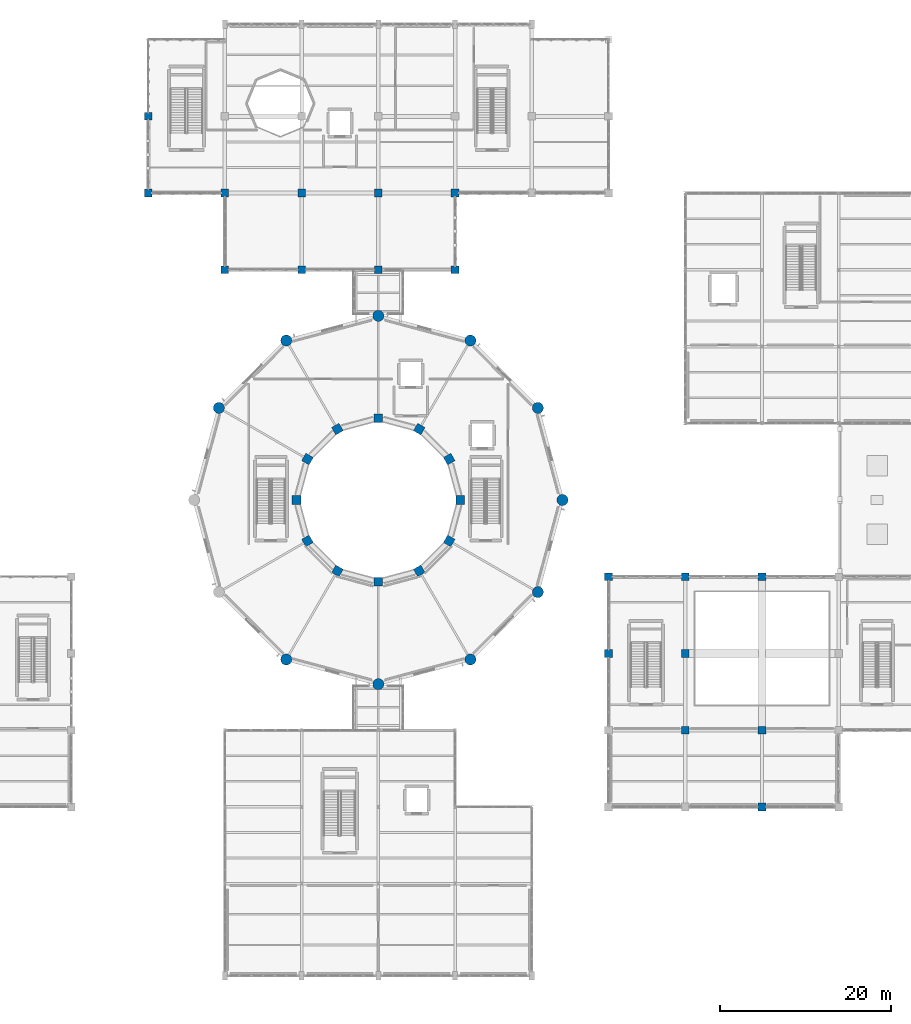
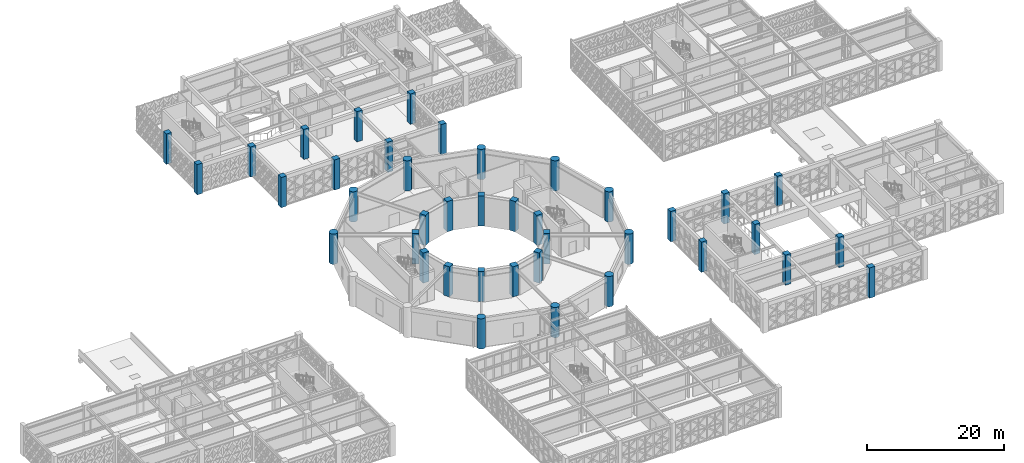
# One storey, part 5 of 155: 40 columns.
"""IFC4 building model written with IfcOpenShell, lengths in metres."""

import ifcopenshell
import ifcopenshell.guid

model = None  # the IFC model being written
_history = None  # IfcOwnerHistory: only IFC2X3 demands one
_inside = {}  # id of a spatial element -> (the spatial element, [elements in it])
_under = {}  # id of a project, library or spatial element -> (it, [spatial elements below it])
_declared = {}  # id of a project -> (the project, [libraries it declares])
_typed = {}  # id of a type object -> (the type object, [elements of that type])
_made_of = {}  # id of a material, layer set ... -> (it, [elements and type objects made of it])


def new_model(schema):
    """Start an empty IFC model of exactly this schema.

    Asked for "IFC4X3", IfcOpenShell would pick the latest addendum, in which some entities
    have other attributes; the version numbers below select the first issue.
    IFC2X3 requires an IfcOwnerHistory on every rooted entity: one is made here for all.
    """
    global model, _history
    if schema == "IFC4X3":
        model = ifcopenshell.file(schema_version=(4, 3, 0, 0))
    else:
        model = ifcopenshell.file(schema=schema)
    _inside.clear()
    _under.clear()
    _declared.clear()
    _typed.clear()
    _made_of.clear()
    _history = None
    if model.schema == "IFC2X3":
        org = make("IfcOrganization", Name="unknown")
        user = make(
            "IfcPersonAndOrganization",
            ThePerson=make("IfcPerson", FamilyName="unknown"),
            TheOrganization=org,
        )
        app = make(
            "IfcApplication",
            ApplicationDeveloper=org,
            Version="unknown",
            ApplicationFullName="unknown",
            ApplicationIdentifier="unknown",
        )
        _history = make(
            "IfcOwnerHistory",
            OwningUser=user,
            OwningApplication=app,
            ChangeAction="ADDED",
            CreationDate=0,
        )
    return model


def make(cls, **values):
    """One entity of the class cls with the attributes given. An attribute that is None is left unset."""
    return model.create_entity(
        cls, **{name: value for name, value in values.items() if value is not None}
    )


def rooted(cls, **values):
    """An entity with a GlobalId (a new one), such as an element, a storey or a relation."""
    return make(cls, GlobalId=ifcopenshell.guid.new(), OwnerHistory=_history, **values)


def si_unit(unit_type, name, prefix=None):
    """IfcSIUnit, for example si_unit("LENGTHUNIT", "METRE", prefix="MILLI")."""
    return make("IfcSIUnit", UnitType=unit_type, Prefix=prefix, Name=name)


def assignment(units):
    """IfcUnitAssignment: the units of a project."""
    return None if units is None else make("IfcUnitAssignment", Units=units)


def point(xyz):
    """IfcCartesianPoint."""
    return None if xyz is None else make("IfcCartesianPoint", Coordinates=xyz)


def direction(xyz):
    """IfcDirection."""
    return None if xyz is None else make("IfcDirection", DirectionRatios=xyz)


def frame(location, z_axis=None, x_axis=None):
    """IfcAxis2Placement3D, a coordinate frame: its origin and axes. An axis left out is left unset."""
    return make(
        "IfcAxis2Placement3D",
        Location=point(location),
        Axis=direction(z_axis),
        RefDirection=direction(x_axis),
    )


def frame_2d(location, x_axis=None):
    """IfcAxis2Placement2D, a coordinate frame in the plane: its origin and x axis."""
    return make(
        "IfcAxis2Placement2D", Location=point(location), RefDirection=direction(x_axis)
    )


def origin():
    """The frame at (0, 0, 0) with its axes left unset."""
    return frame((0.0, 0.0, 0.0))


def origin_2d():
    """The frame at (0, 0) in the plane with its x axis left unset."""
    return frame_2d((0.0, 0.0))


def place(relative_to, where):
    """IfcLocalPlacement: puts the frame where relative to a parent placement (None: the world)."""
    return make(
        "IfcLocalPlacement", PlacementRelTo=relative_to, RelativePlacement=where
    )


def context(
    kind, dimensions, precision=None, world=None, true_north=None, identifier=None
):
    """IfcGeometricRepresentationContext, for example the 3D "Model" context."""
    return make(
        "IfcGeometricRepresentationContext",
        ContextIdentifier=identifier,
        ContextType=kind,
        CoordinateSpaceDimension=dimensions,
        Precision=precision,
        WorldCoordinateSystem=world,
        TrueNorth=true_north,
    )


def subcontext(parent, identifier, kind, view, scale=None):
    """IfcGeometricRepresentationSubContext, for example "Body" below "Model"."""
    return make(
        "IfcGeometricRepresentationSubContext",
        ContextIdentifier=identifier,
        ContextType=kind,
        ParentContext=parent,
        TargetScale=scale,
        TargetView=view,
    )


def project(units=None, contexts=None):
    """IfcProject with its units and contexts."""
    return rooted(
        "IfcProject",
        Name="project",
        RepresentationContexts=contexts,
        UnitsInContext=assignment(units),
    )


def spatial(cls, under=None, at=None, **own):
    """A site, building, storey or space (cls), placed at a placement, below another one or the project."""
    s = rooted(cls, ObjectPlacement=at, **own)
    if under is not None:
        _under.setdefault(under.id(), (under, []))[1].append(s)
    return s


def profile(cls, at=None, kind="AREA", **sizes):
    """A parametric profile (cls). Its sizes go by their IFC names, for example OverallWidth=200.0."""
    return make(cls, ProfileType=kind, Position=at, **sizes)


def rectangle(**sizes):
    """IfcRectangleProfileDef."""
    return profile("IfcRectangleProfileDef", **sizes)


def circle(**sizes):
    """IfcCircleProfileDef."""
    return profile("IfcCircleProfileDef", **sizes)


def extrude(swept, where, along, depth):
    """IfcExtrudedAreaSolid: the profile swept, set in the frame where, extruded along a direction by depth."""
    return make(
        "IfcExtrudedAreaSolid",
        SweptArea=swept,
        Position=where,
        ExtrudedDirection=direction(along),
        Depth=depth,
    )


def shape(context_of_items, identifier, shape_type, items):
    """IfcShapeRepresentation: the items that make up one representation, for example the "Body"."""
    return make(
        "IfcShapeRepresentation",
        ContextOfItems=context_of_items,
        RepresentationIdentifier=identifier,
        RepresentationType=shape_type,
        Items=items,
    )


def material(Name=None, Category=None):
    """IfcMaterial."""
    return make("IfcMaterial", Name=Name, Category=Category)


def material_profile(
    of_material, cross_section, Name=None, Category=None, Priority=None
):
    """IfcMaterialProfile: a cross section and its material."""
    return make(
        "IfcMaterialProfile",
        Name=Name,
        Material=of_material,
        Profile=cross_section,
        Priority=Priority,
        Category=Category,
    )


def profile_set(profiles, Name=None, composite=None):
    """IfcMaterialProfileSet."""
    return make(
        "IfcMaterialProfileSet",
        Name=Name,
        MaterialProfiles=profiles,
        CompositeProfile=composite,
    )


def made_of(thing, what):
    """Note that an element or type object is made of a material, layer set ...; save() writes the relation."""
    if what is not None:
        _made_of.setdefault(what.id(), (what, []))[1].append(thing)
    return thing


def type_object(cls, material=None, **own):
    """A type object (cls), such as IfcWallType, which elements share."""
    return made_of(rooted(cls, **own), material)


def element(
    cls,
    number,
    at=None,
    inside=None,
    cuts=None,
    type_object=None,
    material=None,
    context=None,
    identifier="Body",
    shape_type=None,
    held_by="IfcProductDefinitionShape",
    body=None,
    shapes=None,
    **own,
):
    """One element of the class cls, such as IfcWall. Its Tag is "e" and its number.

    at: its placement. inside: the storey or other place that contains it. cuts: it is an
    opening in that element (IfcRelVoidsElement). A single representation is given by context,
    identifier, shape_type and body (its items); several are given by shapes. held_by: the class
    of the entity that holds the representations. save() writes the other relations.
    """
    e = rooted(cls, Tag="e%d" % number, ObjectPlacement=at, **own)
    if body is not None:
        shapes = [shape(context, identifier, shape_type, body)]
    if shapes is not None:
        e.Representation = make(held_by, Representations=shapes)
    if inside is not None:
        _inside.setdefault(inside.id(), (inside, []))[1].append(e)
    if cuts is not None:
        rooted(
            "IfcRelVoidsElement", RelatingBuildingElement=cuts, RelatedOpeningElement=e
        )
    if type_object is not None:
        _typed.setdefault(type_object.id(), (type_object, []))[1].append(e)
    return made_of(e, material)


def aggregate(whole, parts):
    """IfcRelAggregates: a whole, such as a stair, and the parts it consists of."""
    return rooted("IfcRelAggregates", RelatingObject=whole, RelatedObjects=parts)


def save(model, path):
    """Write the relations noted so far, then the file.

    IfcRelAggregates (storeys below a building ...), IfcRelContainedInSpatialStructure (elements
    in a storey), IfcRelDefinesByType, IfcRelAssociatesMaterial and IfcRelDeclares: one each for
    every whole, place, type object, material and project.
    """
    for whole, parts in _under.values():
        aggregate(whole, parts)
    for where, things in _inside.values():
        rooted(
            "IfcRelContainedInSpatialStructure",
            RelatedElements=things,
            RelatingStructure=where,
        )
    for kind, things in _typed.values():
        rooted("IfcRelDefinesByType", RelatedObjects=things, RelatingType=kind)
    for what, things in _made_of.values():
        rooted("IfcRelAssociatesMaterial", RelatedObjects=things, RelatingMaterial=what)
    for by, libraries in _declared.values():
        rooted("IfcRelDeclares", RelatingContext=by, RelatedDefinitions=libraries)
    model.write(path)


model = new_model("IFC4")

# Units and contexts
model_context = context("Model", 3, precision=1e-05, world=origin(), true_north=direction((0.0, 1.0)))
body_context = subcontext(model_context, "Body", "Model", "MODEL_VIEW")
ifc_project = project(units=[si_unit("LENGTHUNIT", "METRE"), si_unit("AREAUNIT", "SQUARE_METRE"), si_unit("VOLUMEUNIT", "CUBIC_METRE"), si_unit("PLANEANGLEUNIT", "RADIAN"), si_unit("MASSUNIT", "GRAM", prefix="KILO")], contexts=[model_context])

# Site, building, storey
site_placement = place(None, origin())
site = spatial("IfcSite", under=ifc_project, at=site_placement, CompositionType="ELEMENT")
building_placement = place(site_placement, origin())
building = spatial("IfcBuilding", under=site, at=building_placement, Name="Haizhuo Lancet Aquarium", CompositionType="ELEMENT")
storey_placement = place(building_placement, frame((0.0, 0.0, 10.800048828125)))
storey = spatial("IfcBuildingStorey", under=building, at=storey_placement, Name="L02", CompositionType="ELEMENT", Elevation=10.800048828125)

# Columns
ifc_material_1 = material(Name="Concrete C50/60", Category="concrete")
ifc_material_profile_1 = material_profile(ifc_material_1, circle(Radius=0.64990234375, at=origin_2d()), Name="RC-DC 1300")
ifc_profile_set_1 = profile_set([ifc_material_profile_1], Name="Concrete C50/60")
column_type_1 = type_object("IfcColumnType", Name="COL-DC-1300", PredefinedType="COLUMN", material=ifc_profile_set_1)
for number, where, z_axis, x_axis, name in (
    (1, (21.60009765625, 0.0, 0.0), (0.0, 0.0, 1.0), (1.0, 0.0, 0.0), "L02 column V1-COL-001"),
    (2, (18.7060546875, 10.800048828125, 0.0), (0.0, 0.0, 1.0), (0.866025403784, 0.5, 0.0), "L02 column V1-COL-002"),
    (3, (10.800048828125, 18.7060546875, 0.0), (0.0, 0.0, 1.0), (0.5, 0.866025403784, 0.0), "L02 column V1-COL-003"),
    (4, (0.0, 21.60009765625, 0.0), (0.0, 0.0, 1.0), (0.0, 1.0, 0.0), "L02 column V1-COL-004"),
    (5, (-10.800048828125, 18.7060546875, 0.0), (0.0, 0.0, 1.0), (-0.5, 0.866025403784, 0.0), "L02 column V1-COL-005"),
    (6, (-18.7060546875, 10.800048828125, 0.0), (0.0, 0.0, 1.0), (-0.866025403784, 0.5, 0.0), "L02 column V1-COL-006"),
    (7, (-10.800048828125, -18.7060546875, 0.0), (0.0, 0.0, 1.0), (-0.5, -0.866025403784, 0.0), "L02 column V1-COL-009"),
    (8, (0.0, -21.60009765625, 0.0), (0.0, 0.0, 1.0), (0.0, -1.0, 0.0), "L02 column V1-COL-010"),
    (9, (10.800048828125, -18.7060546875, 0.0), (0.0, 0.0, 1.0), (0.5, -0.866025403784, 0.0), "L02 column V1-COL-011"),
    (10, (18.7060546875, -10.800048828125, 0.0), (0.0, 0.0, 1.0), (0.866025403784, -0.5, 0.0), "L02 column V1-COL-012"),
):
    element("IfcColumn", number, at=place(storey_placement, frame(where, z_axis=z_axis, x_axis=x_axis)), inside=storey, type_object=column_type_1, Name=name, PredefinedType="COLUMN", context=body_context, shape_type="SweptSolid", body=[
        extrude(circle(Radius=0.64990234375, at=origin_2d()), origin(), (0.0, 0.0, 1.0), 5.39990234375),
    ])
ifc_material_profile_2 = material_profile(ifc_material_1, rectangle(XDim=1.0, YDim=1.0, at=origin_2d()), Name="RC-COL 1000x1000")
ifc_profile_set_2 = profile_set([ifc_material_profile_2], Name="Concrete C50/60")
column_type_2 = type_object("IfcColumnType", Name="COL-RC-1000", PredefinedType="COLUMN", material=ifc_profile_set_2)
for number, where, z_axis, x_axis, name in (
    (11, (9.60009765625, 0.0, 0.0), (0.0, 0.0, 1.0), (1.0, 0.0, 0.0), "L02 column V1-COL-013"),
    (12, (8.31396484375, 4.800048828125, 0.0), (0.0, 0.0, 1.0), (0.866025403784, 0.5, 0.0), "L02 column V1-COL-014"),
    (13, (4.800048828125, 8.31396484375, 0.0), (0.0, 0.0, 1.0), (0.5, 0.866025403784, 0.0), "L02 column V1-COL-015"),
    (14, (0.0, 9.60009765625, 0.0), (0.0, 0.0, 1.0), (0.0, 1.0, 0.0), "L02 column V1-COL-016"),
    (15, (-4.800048828125, 8.31396484375, 0.0), (0.0, 0.0, 1.0), (-0.5, 0.866025403784, 0.0), "L02 column V1-COL-017"),
    (16, (-8.31396484375, 4.800048828125, 0.0), (0.0, 0.0, 1.0), (-0.866025403784, 0.5, 0.0), "L02 column V1-COL-018"),
    (17, (-9.60009765625, 0.0, 0.0), (0.0, 0.0, 1.0), (-1.0, 0.0, 0.0), "L02 column V1-COL-019"),
    (18, (-8.31396484375, -4.800048828125, 0.0), (0.0, 0.0, 1.0), (-0.866025403784, -0.5, 0.0), "L02 column V1-COL-020"),
    (19, (-4.800048828125, -8.31396484375, 0.0), (0.0, 0.0, 1.0), (-0.5, -0.866025403784, 0.0), "L02 column V1-COL-021"),
    (20, (0.0, -9.60009765625, 0.0), (0.0, 0.0, 1.0), (0.0, -1.0, 0.0), "L02 column V1-COL-022"),
    (21, (4.800048828125, -8.31396484375, 0.0), (0.0, 0.0, 1.0), (0.5, -0.866025403784, 0.0), "L02 column V1-COL-023"),
    (22, (8.31396484375, -4.800048828125, 0.0), (0.0, 0.0, 1.0), (0.866025403784, -0.5, 0.0), "L02 column V1-COL-024"),
):
    element("IfcColumn", number, at=place(storey_placement, frame(where, z_axis=z_axis, x_axis=x_axis)), inside=storey, type_object=column_type_2, Name=name, PredefinedType="COLUMN", context=body_context, shape_type="SweptSolid", body=[
        extrude(rectangle(XDim=1.0, YDim=1.0, at=origin_2d()), origin(), (0.0, 0.0, 1.0), 5.39990234375),
    ])
ifc_material_2 = material(Name="Concrete C40/50", Category="concrete")
ifc_material_profile_3 = material_profile(ifc_material_2, rectangle(XDim=0.89990234375, YDim=0.89990234375, at=origin_2d()), Name="RC-COL 900x900")
ifc_profile_set_3 = profile_set([ifc_material_profile_3], Name="Concrete C40/50")
column_type_3 = type_object("IfcColumnType", Name="COL-RC-900", PredefinedType="COLUMN", material=ifc_profile_set_3)
for number, where, z_axis, x_axis, name in (
    (23, (27.0, -18.0, 0.0), (0.0, 0.0, 1.0), (1.0, 0.0, 0.0), "L02 column V3-COL-044"),
    (24, (27.0, -9.0, 0.0), (0.0, 0.0, 1.0), (1.0, 0.0, 0.0), "L02 column V3-COL-045"),
    (25, (36.0, -27.0, 0.0), (0.0, 0.0, 1.0), (1.0, 0.0, 0.0), "L02 column V3-COL-047"),
    (26, (36.0, -18.0, 0.0), (0.0, 0.0, 1.0), (1.0, 0.0, 0.0), "L02 column V3-COL-048"),
    (27, (36.0, -9.0, 0.0), (0.0, 0.0, 1.0), (1.0, 0.0, 0.0), "L02 column V3-COL-049"),
    (28, (45.0, -36.0, 0.0), (0.0, 0.0, 1.0), (1.0, 0.0, 0.0), "L02 column V3-COL-050"),
    (29, (45.0, -27.0, 0.0), (0.0, 0.0, 1.0), (1.0, 0.0, 0.0), "L02 column V3-COL-051"),
    (30, (45.0, -9.0, 0.0), (0.0, 0.0, 1.0), (1.0, 0.0, 0.0), "L02 column V3-COL-053"),
    (31, (-27.0, 36.0, 0.0), (0.0, 0.0, 1.0), (1.0, 0.0, 0.0), "L02 column V5-COL-085"),
    (32, (-27.0, 45.0, 0.0), (0.0, 0.0, 1.0), (1.0, 0.0, 0.0), "L02 column V5-COL-086"),
    (33, (-18.0, 27.0, 0.0), (0.0, 0.0, 1.0), (1.0, 0.0, 0.0), "L02 column V5-COL-087"),
    (34, (-18.0, 36.0, 0.0), (0.0, 0.0, 1.0), (1.0, 0.0, 0.0), "L02 column V5-COL-088"),
    (35, (-9.0, 27.0, 0.0), (0.0, 0.0, 1.0), (1.0, 0.0, 0.0), "L02 column V5-COL-091"),
    (36, (-9.0, 36.0, 0.0), (0.0, 0.0, 1.0), (1.0, 0.0, 0.0), "L02 column V5-COL-092"),
    (37, (0.0, 27.0, 0.0), (0.0, 0.0, 1.0), (1.0, 0.0, 0.0), "L02 column V5-COL-095"),
    (38, (0.0, 36.0, 0.0), (0.0, 0.0, 1.0), (1.0, 0.0, 0.0), "L02 column V5-COL-096"),
    (39, (9.0, 27.0, 0.0), (0.0, 0.0, 1.0), (1.0, 0.0, 0.0), "L02 column V5-COL-099"),
    (40, (9.0, 36.0, 0.0), (0.0, 0.0, 1.0), (1.0, 0.0, 0.0), "L02 column V5-COL-100"),
):
    element("IfcColumn", number, at=place(storey_placement, frame(where, z_axis=z_axis, x_axis=x_axis)), inside=storey, type_object=column_type_3, Name=name, PredefinedType="COLUMN", context=body_context, shape_type="SweptSolid", body=[
        extrude(rectangle(XDim=0.89990234375, YDim=0.89990234375, at=origin_2d()), origin(), (0.0, 0.0, 1.0), 5.39990234375),
    ])

save(model, "model.ifc")
